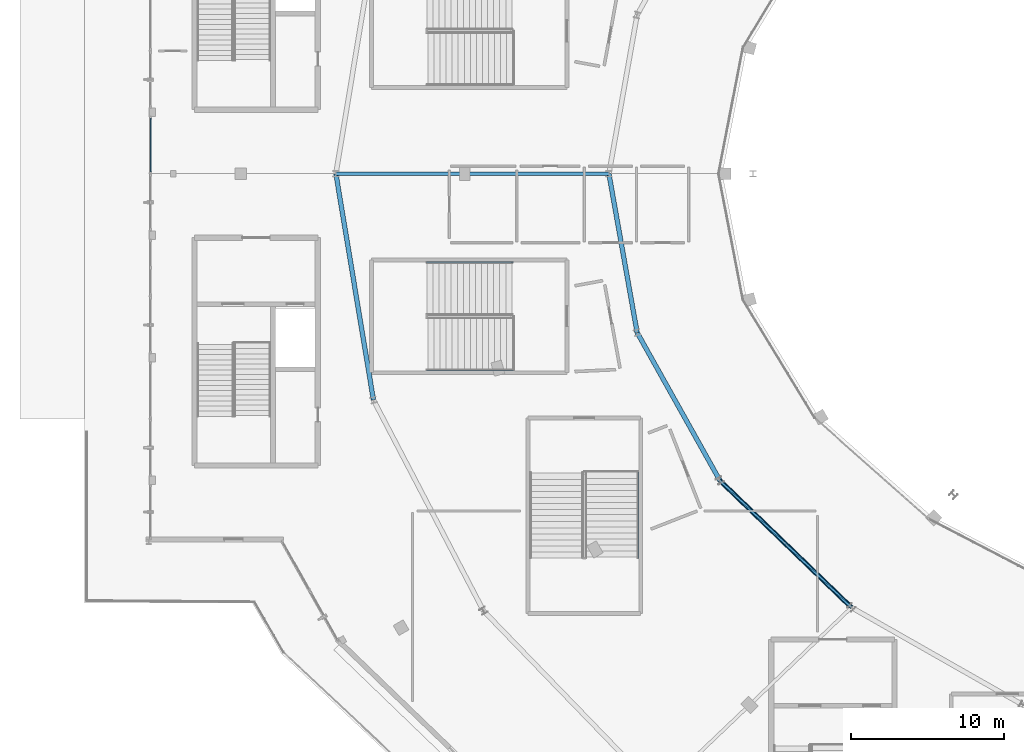
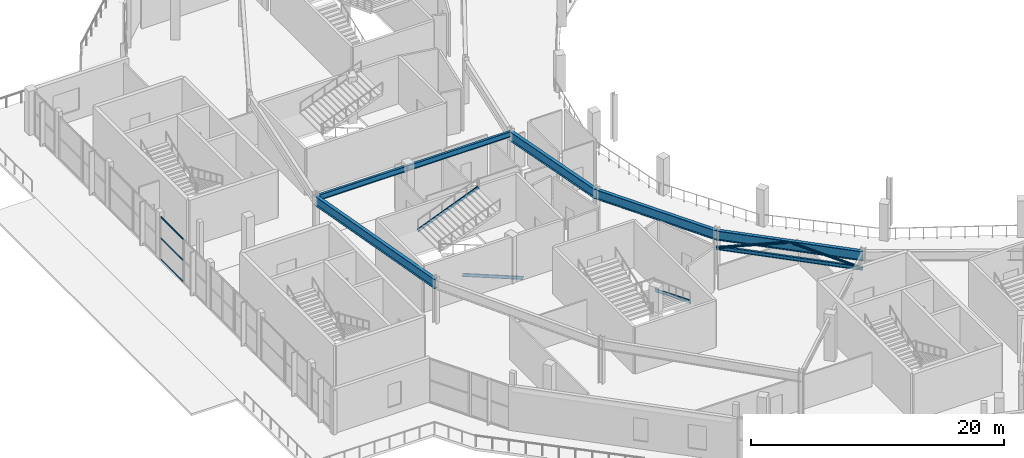
# One storey, part 27 of 123: 8 members, 7 beams, 1 element without a shape of its own.
"""IFC4 building model written with IfcOpenShell, lengths in metres."""

from ifc_helpers import new_model, si_unit, direction, frame, origin, origin_2d, place, context, subcontext, project, spatial, hollow_rectangle, hollow_circle, i_section, extrude, material, layer, layer_set, material_profile, profile_set, type_object, element, aggregate, save


model = new_model("IFC4")

# Units and contexts
model_context = context("Model", 3, precision=1e-05, world=origin(), true_north=direction((0.0, 1.0)))
body_context = subcontext(model_context, "Body", "Model", "MODEL_VIEW")
ifc_project = project(units=[si_unit("LENGTHUNIT", "METRE"), si_unit("AREAUNIT", "SQUARE_METRE"), si_unit("VOLUMEUNIT", "CUBIC_METRE"), si_unit("PLANEANGLEUNIT", "RADIAN"), si_unit("MASSUNIT", "GRAM", prefix="KILO")], contexts=[model_context])

# Site, building, storey
site_placement = place(None, origin())
site = spatial("IfcSite", under=ifc_project, at=site_placement, CompositionType="ELEMENT")
building_placement = place(site_placement, origin())
building = spatial("IfcBuilding", under=site, at=building_placement, Name="Kalgoora Escarpment Arena", CompositionType="ELEMENT")
storey_placement = place(building_placement, frame((0.0, 0.0, 9.89990234375)))
storey = spatial("IfcBuildingStorey", under=building, at=storey_placement, Name="L02", CompositionType="ELEMENT", Elevation=9.89990234375)

# Beams
ifc_material_1 = material(Name="Structural steel AS/NZS 3679 (300 MPa)", Category="steel")
ifc_material_profile_1 = material_profile(ifc_material_1, i_section(OverallWidth=0.1708984375, OverallDepth=0.35205078125, WebThickness=0.0068359375, FlangeThickness=0.009765625, at=origin_2d()))
ifc_profile_set_1 = profile_set([ifc_material_profile_1], Name="Structural steel AS/NZS 3679 (300 MPa)")
beam_type_1 = type_object("IfcBeamType", Name="BM-BEAM-360UB44.7", PredefinedType="BEAM", material=ifc_profile_set_1)
beam_1_placement = place(storey_placement, frame((45.634521484375, 44.0, 2.524169921875), z_axis=(0.719471992915, -0.694521454968, 0.0), x_axis=(0.694521454968, 0.719471992915, 0.0)))
element("IfcBeam", 1, at=beam_1_placement, inside=storey, type_object=beam_type_1, Name="L02 Portal brace collector beam 360UB44.7", PredefinedType="BEAM", context=body_context, shape_type="SweptSolid", body=[
    extrude(i_section(OverallWidth=0.1708984375, OverallDepth=0.35205078125, WebThickness=0.0068359375, FlangeThickness=0.009765625, at=origin_2d()), origin(), (0.0, 0.0, 1.0), 11.927978515625),
])
ifc_material_2 = material(Name="Structural steel AS/NZS 3679 (300 MPa)", Category="steel")
ifc_material_profile_2 = material_profile(ifc_material_2, i_section(OverallWidth=0.208984375, OverallDepth=0.528076171875, WebThickness=0.009521484375, FlangeThickness=0.01318359375, at=origin_2d()))
ifc_profile_set_2 = profile_set([ifc_material_profile_2], Name="Structural steel AS/NZS 3679 (300 MPa)")
beam_type_2 = type_object("IfcBeamType", Name="BM-GIRDER-530UB82.0", PredefinedType="USERDEFINED", material=ifc_profile_set_2)
beam_2_placement = place(storey_placement, frame((38.39990234375, 64.0, 3.926025390625), z_axis=(-1.0, 0.0, 0.0), x_axis=(0.0, -1.0, 0.0)))
element("IfcBeam", 2, at=beam_2_placement, inside=storey, type_object=beam_type_2, Name="L02 Radial concourse girder 530UB82.0", ObjectType="GIRDER", PredefinedType="USERDEFINED", context=body_context, shape_type="SweptSolid", body=[
    extrude(i_section(OverallWidth=0.208984375, OverallDepth=0.528076171875, WebThickness=0.009521484375, FlangeThickness=0.01318359375, at=origin_2d()), origin(), (0.0, 0.0, 1.0), 9.39990234375),
])
beam_3_placement = place(storey_placement, frame((29.0, 64.0, 3.926025390625), z_axis=(-1.0, 0.0, 0.0), x_axis=(0.0, -1.0, 0.0)))
element("IfcBeam", 3, at=beam_3_placement, inside=storey, type_object=beam_type_2, Name="L02 Radial concourse girder 530UB82.0", ObjectType="GIRDER", PredefinedType="USERDEFINED", context=body_context, shape_type="SweptSolid", body=[
    extrude(i_section(OverallWidth=0.208984375, OverallDepth=0.528076171875, WebThickness=0.009521484375, FlangeThickness=0.01318359375, at=origin_2d()), origin(), (0.0, 0.0, 1.0), 8.39990234375),
])
ifc_material_3 = material(Name="Structural steel Grade 350 (350 MPa)", Category="steel")
ifc_material_profile_3 = material_profile(ifc_material_3, i_section(OverallWidth=0.300048828125, OverallDepth=0.909912109375, WebThickness=0.011962890625, FlangeThickness=0.028076171875, at=origin_2d()))
ifc_profile_set_3 = profile_set([ifc_material_profile_3], Name="Structural steel Grade 350 (350 MPa)")
beam_type_3 = type_object("IfcBeamType", Name="BM-GIRDER-900WB218", PredefinedType="USERDEFINED", material=ifc_profile_set_3)
beam_4_placement = place(storey_placement, frame((38.39990234375, 64.0, 3.735107421875), z_axis=(0.174995823084, -0.984569175784, 0.0), x_axis=(0.984569175784, 0.174995823084, 0.0)))
element("IfcBeam", 4, at=beam_4_placement, inside=storey, type_object=beam_type_3, Name="L02 Circumferential concourse girder RMAIN 900WB218", ObjectType="GIRDER", PredefinedType="USERDEFINED", context=body_context, shape_type="SweptSolid", body=[
    extrude(i_section(OverallWidth=0.300048828125, OverallDepth=0.909912109375, WebThickness=0.011962890625, FlangeThickness=0.028076171875, at=origin_2d()), origin(), (0.0, 0.0, 1.0), 10.51513671875),
])
beam_5_placement = place(storey_placement, frame((40.239990234375, 53.647216796875, 3.76513671875), z_axis=(0.488058469962, -0.872810935941, 0.0), x_axis=(0.872810935941, 0.488058469962, 0.0)))
element("IfcBeam", 5, at=beam_5_placement, inside=storey, type_object=beam_type_3, Name="L02 Circumferential concourse girder RMAIN 900WB218", ObjectType="GIRDER", PredefinedType="USERDEFINED", context=body_context, shape_type="SweptSolid", body=[
    extrude(i_section(OverallWidth=0.300048828125, OverallDepth=0.909912109375, WebThickness=0.011962890625, FlangeThickness=0.028076171875, at=origin_2d()), origin(), (0.0, 0.0, 1.0), 11.052978515625),
])
beam_6_placement = place(storey_placement, frame((45.634521484375, 44.0, 3.76513671875), z_axis=(0.719471992915, -0.694521454968, 0.0), x_axis=(0.694521454968, 0.719471992915, 0.0)))
element("IfcBeam", 6, at=beam_6_placement, inside=storey, type_object=beam_type_3, Name="L02 Circumferential concourse girder RMAIN 900WB218", ObjectType="GIRDER", PredefinedType="USERDEFINED", context=body_context, shape_type="SweptSolid", body=[
    extrude(i_section(OverallWidth=0.300048828125, OverallDepth=0.909912109375, WebThickness=0.011962890625, FlangeThickness=0.028076171875, at=origin_2d()), origin(), (0.0, 0.0, 1.0), 11.927978515625),
])
ifc_material_4 = material(Name="Structural steel Grade 350 (350 MPa)", Category="steel")
ifc_material_profile_4 = material_profile(ifc_material_4, i_section(OverallWidth=0.300048828125, OverallDepth=0.909912109375, WebThickness=0.011962890625, FlangeThickness=0.028076171875, at=origin_2d()))
ifc_profile_set_4 = profile_set([ifc_material_profile_4], Name="Structural steel Grade 350 (350 MPa)")
beam_type_4 = type_object("IfcBeamType", Name="BM-SPANDREL-900WB218", PredefinedType="SPANDREL", material=ifc_profile_set_4)
beam_7_placement = place(storey_placement, frame((20.60009765625, 64.0, 3.735107421875), z_axis=(0.163586163215, -0.98652905036, 0.0), x_axis=(0.98652905036, 0.163586163215, 0.0)))
element("IfcBeam", 7, at=beam_7_placement, inside=storey, type_object=beam_type_4, Name="L02 Circumferential concourse girder RCONC2 900WB218", PredefinedType="SPANDREL", context=body_context, shape_type="SweptSolid", body=[
    extrude(i_section(OverallWidth=0.300048828125, OverallDepth=0.909912109375, WebThickness=0.011962890625, FlangeThickness=0.028076171875, at=origin_2d()), origin(), (0.0, 0.0, 1.0), 14.9541015625),
])

# Members
ifc_material_5 = material(Name="Structural steel C350 (350 MPa)", Category="steel")
ifc_material_profile_5 = material_profile(ifc_material_5, hollow_circle(Radius=0.109619140625, WallThickness=0.00830078125, at=origin_2d()))
ifc_profile_set_5 = profile_set([ifc_material_profile_5], Name="Structural steel C350 (350 MPa)")
member_type_1 = type_object("IfcMemberType", Name="MEM-BRACE-CHS219", PredefinedType="BRACE", material=ifc_profile_set_5)
member_1_placement = place(storey_placement, frame((45.634521484375, 44.0, 2.52001953125), z_axis=(0.696893494727, -0.672745094255, 0.248502505346), x_axis=(0.694531682696, 0.719462119733, 0.0)))
element("IfcMember", 8, at=member_1_placement, inside=storey, type_object=member_type_1, Name="L02 concentric lateral brace R15-1", PredefinedType="BRACE", context=body_context, shape_type="SweptSolid", body=[
    extrude(hollow_circle(Radius=0.109619140625, WallThickness=0.00830078125, at=origin_2d()), origin(), (0.0, 0.0, 1.0), 6.156982421875),
])
member_2_placement = place(storey_placement, frame((54.21630859375, 35.7158203125, 2.52001953125), z_axis=(-0.69691388875, 0.672726504127, 0.248495638416), x_axis=(-0.694511227401, -0.71948186566, 0.0)))
element("IfcMember", 9, at=member_2_placement, inside=storey, type_object=member_type_1, Name="L02 concentric lateral brace R15-2", PredefinedType="BRACE", context=body_context, shape_type="SweptSolid", body=[
    extrude(hollow_circle(Radius=0.109619140625, WallThickness=0.00830078125, at=origin_2d()), origin(), (0.0, 0.0, 1.0), 6.1572265625),
])

# Curtain wall, members
ifc_material_6 = material(Name=" Champagne anodised aluminium & double-glazed low-E", Category="aluminium")
ifc_layer = layer(ifc_material_6, 0.166015625)
ifc_layer_set = layer_set([ifc_layer], Name="CW-UNIT-04")
curtain_wall_type = type_object("IfcCurtainWallType", Name="CW-UNIT-04", PredefinedType="NOTDEFINED", material=ifc_layer_set)
curtain_wall_placement = place(storey_placement, origin())
curtain_wall = element("IfcCurtainWall", 10, at=curtain_wall_placement, inside=storey, type_object=curtain_wall_type, Name="L02 unitised facade curtain wall 063", PredefinedType="NOTDEFINED")
ifc_material_7 = material(Name="Anodised aluminium 6063-T6", Category="aluminium")
ifc_material_profile_6 = material_profile(ifc_material_7, hollow_rectangle(XDim=0.06005859375, YDim=0.14990234375, WallThickness=0.00341796875, at=origin_2d()))
ifc_profile_set_6 = profile_set([ifc_material_profile_6], Name="Anodised aluminium 6063-T6")
member_type_2 = type_object("IfcMemberType", Name="MEM-CW-TRAN-150", PredefinedType="USERDEFINED", material=ifc_profile_set_6)
member_3_placement = place(storey_placement, frame((8.52001953125, 64.114990234375, 0.050048828125), z_axis=(0.0, 1.0, 0.0), x_axis=(-1.0, 0.0, 0.0)))
member_3 = element("IfcMember", 11, at=member_3_placement, type_object=member_type_2, Name="CW-04 transom 1.1", ObjectType="TRANSOM", PredefinedType="USERDEFINED", context=body_context, shape_type="SweptSolid", body=[
    extrude(hollow_rectangle(XDim=0.06005859375, YDim=0.14990234375, WallThickness=0.00341796875, at=origin_2d()), origin(), (0.0, 0.0, 1.0), 3.505859375),
])
member_4_placement = place(storey_placement, frame((8.52001953125, 64.114990234375, 2.09521484375), z_axis=(0.0, 1.0, 0.0), x_axis=(-1.0, 0.0, 0.0)))
member_4 = element("IfcMember", 12, at=member_4_placement, type_object=member_type_2, Name="CW-04 transom 1.2", ObjectType="TRANSOM", PredefinedType="USERDEFINED", context=body_context, shape_type="SweptSolid", body=[
    extrude(hollow_rectangle(XDim=0.06005859375, YDim=0.14990234375, WallThickness=0.00341796875, at=origin_2d()), origin(), (0.0, 0.0, 1.0), 3.505859375),
])
member_5_placement = place(storey_placement, frame((8.52001953125, 64.114990234375, 4.1201171875), z_axis=(0.0, 1.0, 0.0), x_axis=(-1.0, 0.0, 0.0)))
member_5 = element("IfcMember", 13, at=member_5_placement, type_object=member_type_2, Name="CW-04 transom 1.3", ObjectType="TRANSOM", PredefinedType="USERDEFINED", context=body_context, shape_type="SweptSolid", body=[
    extrude(hollow_rectangle(XDim=0.06005859375, YDim=0.14990234375, WallThickness=0.00341796875, at=origin_2d()), origin(), (0.0, 0.0, 1.0), 3.505859375),
])
aggregate(curtain_wall, [member_3, member_4, member_5])

# Members
ifc_material_8 = material(Name="Structural steel AS/NZS 3679 (300 MPa)", Category="steel")
ifc_material_profile_7 = material_profile(ifc_material_8, i_section(OverallWidth=0.090087890625, OverallDepth=0.300048828125, WebThickness=0.008056640625, FlangeThickness=0.01611328125, at=origin_2d()))
ifc_profile_set_7 = profile_set([ifc_material_profile_7], Name="Structural steel AS/NZS 3679 (300 MPa)")
member_type_3 = type_object("IfcMemberType", Name="MEM-STRINGER-PFC", PredefinedType="STRINGER", material=ifc_profile_set_7)
for number, where, z_axis, x_axis, name in (
    (14, (32.110107421875, 51.169921875, -0.039794921875), (-0.926975796404, 0.0, 0.375121144273), (0.0, -1.0, 0.0), "ST18 L02 steel stair stringer 1"),
    (15, (26.550048828125, 58.22998046875, 2.210205078125), (0.926975796404, 0.0, 0.375121144273), (0.0, 1.0, 0.0), "ST18 L02 steel stair stringer 2"),
    (16, (40.330078125, 44.510009765625, -0.039794921875), (0.0, -0.926975796404, 0.375121144273), (1.0, 0.0, 0.0), "ST20 L02 steel stair stringer 1"),
):
    element("IfcMember", number, at=place(storey_placement, frame(where, z_axis=z_axis, x_axis=x_axis)), inside=storey, type_object=member_type_3, Name=name, PredefinedType="STRINGER", context=body_context, shape_type="SweptSolid", body=[
        extrude(i_section(OverallWidth=0.090087890625, OverallDepth=0.300048828125, WebThickness=0.008056640625, FlangeThickness=0.01611328125, at=origin_2d()), origin(), (0.0, 0.0, 1.0), 5.998046875),
    ])

save(model, "model.ifc")
